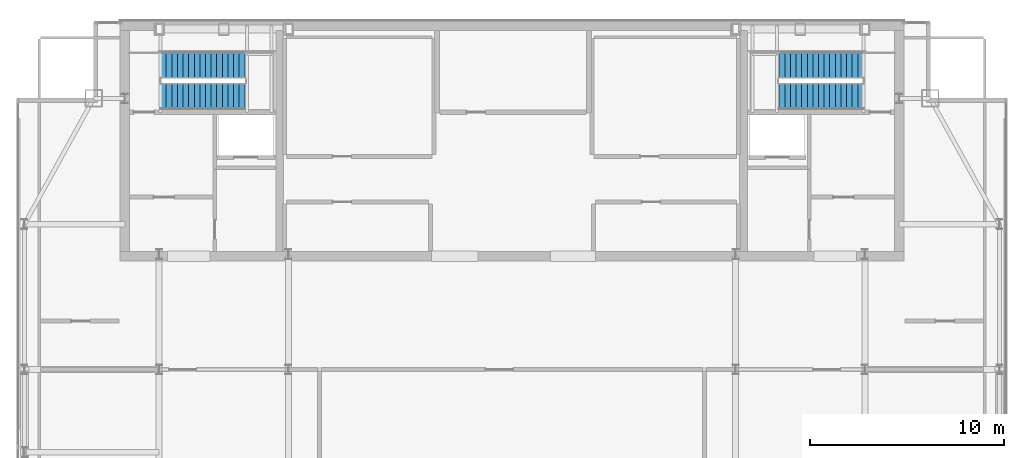
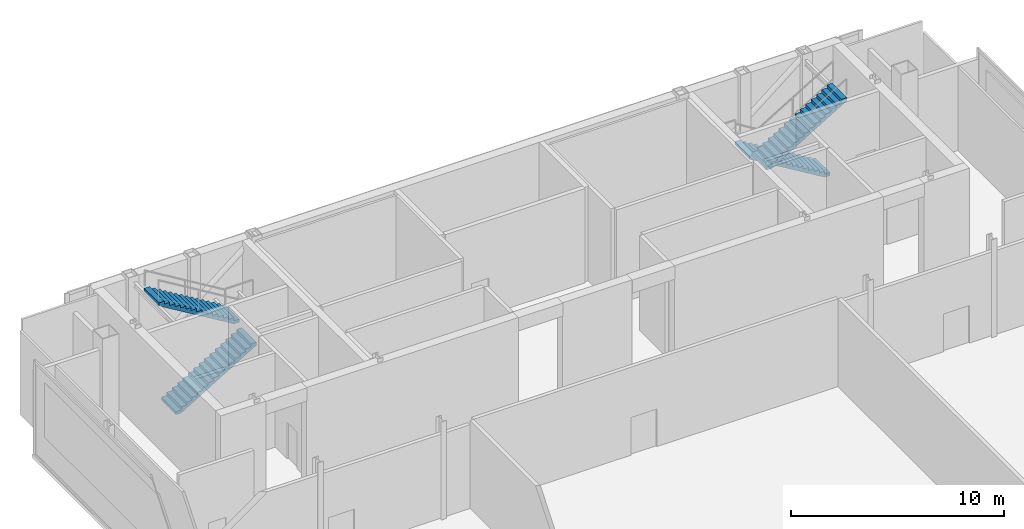
# One storey, part 20 of 22: 4 stair flights, 2 elements without a shape of their own.
"""IFC4 building model written with IfcOpenShell, lengths in metres."""

from ifc_helpers import new_model, si_unit, direction, frame, origin, place, context, subcontext, project, spatial, polyline, outline, extrude, material, type_object, element, aggregate, save


model = new_model("IFC4")

# Units and contexts
model_context = context("Model", 3, precision=1e-05, world=origin(), true_north=direction((0.0, 1.0)))
body_context = subcontext(model_context, "Body", "Model", "MODEL_VIEW")
ifc_project = project(units=[si_unit("LENGTHUNIT", "METRE"), si_unit("AREAUNIT", "SQUARE_METRE"), si_unit("VOLUMEUNIT", "CUBIC_METRE"), si_unit("PLANEANGLEUNIT", "RADIAN"), si_unit("MASSUNIT", "GRAM", prefix="KILO")], contexts=[model_context])

# Site, building, storey
site_placement = place(None, origin())
site = spatial("IfcSite", under=ifc_project, at=site_placement, CompositionType="ELEMENT")
building_placement = place(site_placement, origin())
building = spatial("IfcBuilding", under=site, at=building_placement, Name="Khoronbel Lancet Exchange", CompositionType="ELEMENT")
storey_placement = place(building_placement, frame((0.0, 0.0, 367.39990234375)))
storey = spatial("IfcBuildingStorey", under=building, at=storey_placement, Name="L94", CompositionType="ELEMENT", Elevation=367.39990234375)

# Stair, stair flights
ifc_material = material(Name="Concrete C40/50", Category="concrete")
stair_type = type_object("IfcStairType", Name="STR-CRN135", PredefinedType="HALF_TURN_STAIR", material=ifc_material)
stair_1_placement = place(storey_placement, origin())
stair_1 = element("IfcStair", 1, at=stair_1_placement, inside=storey, type_object=stair_type, Name="L94 Protected Exit Stair ST1", PredefinedType="HALF_TURN_STAIR")
stair_flight_type = type_object("IfcStairFlightType", Name="STF-135", PredefinedType="STRAIGHT", material=ifc_material)
stair_flight_1_placement = place(storey_placement, frame((18.300048828125, 49.81005859375, 0.0), z_axis=(0.0, 0.0, 1.0), x_axis=(1.0, 0.0, 0.0)))
stair_flight_1 = element("IfcStairFlight", 2, at=stair_flight_1_placement, type_object=stair_flight_type, Name="ST1 flight 1", NumberOfRisers=16, NumberOfTreads=15, PredefinedType="STRAIGHT", RiserHeight=0.175, TreadLength=0.29, context=body_context, shape_type="SweptSolid", body=[
    extrude(outline(polyline([(0.0, 0.0), (0.0, 0.175048828125), (0.2900390625, 0.175048828125), (0.2900390625, 0.35009765625), (0.580078125, 0.35009765625), (0.580078125, 0.52490234375), (0.8701171875, 0.52490234375), (0.8701171875, 0.699951171875), (1.159912109375, 0.699951171875), (1.159912109375, 0.875), (1.449951171875, 0.875), (1.449951171875, 1.050048828125), (1.739990234375, 1.050048828125), (1.739990234375, 1.22509765625), (2.030029296875, 1.22509765625), (2.030029296875, 1.39990234375), (2.320068359375, 1.39990234375), (2.320068359375, 1.574951171875), (2.610107421875, 1.574951171875), (2.610107421875, 1.75), (2.89990234375, 1.75), (2.89990234375, 1.925048828125), (3.18994140625, 1.925048828125), (3.18994140625, 2.10009765625), (3.47998046875, 2.10009765625), (3.47998046875, 2.27490234375), (3.77001953125, 2.27490234375), (3.77001953125, 2.449951171875), (4.06005859375, 2.449951171875), (4.06005859375, 2.625), (4.35009765625, 2.625), (4.35009765625, 2.800048828125), (4.35009765625, 2.449951171875), (0.2900390625, 0.0), (0.0, 0.0)])), frame((0.0, 0.68994140625, 0.0), z_axis=(0.0, -1.0, 0.0), x_axis=(1.0, 0.0, 0.0)), (0.0, 0.0, 1.0), 1.3798828125),
])
stair_flight_2_placement = place(storey_placement, frame((22.64990234375, 51.409912109375, 2.800048828125), z_axis=(0.0, 0.0, 1.0), x_axis=(-1.0, 0.0, 0.0)))
stair_flight_2 = element("IfcStairFlight", 3, at=stair_flight_2_placement, type_object=stair_flight_type, Name="ST1 flight 2", NumberOfRisers=16, NumberOfTreads=15, PredefinedType="STRAIGHT", RiserHeight=0.175, TreadLength=0.29, context=body_context, shape_type="SweptSolid", body=[
    extrude(outline(polyline([(0.0, 0.0), (0.0, 0.175048828125), (0.2900390625, 0.175048828125), (0.2900390625, 0.35009765625), (0.580078125, 0.35009765625), (0.580078125, 0.52490234375), (0.8701171875, 0.52490234375), (0.8701171875, 0.699951171875), (1.159912109375, 0.699951171875), (1.159912109375, 0.875), (1.449951171875, 0.875), (1.449951171875, 1.050048828125), (1.739990234375, 1.050048828125), (1.739990234375, 1.22509765625), (2.030029296875, 1.22509765625), (2.030029296875, 1.39990234375), (2.320068359375, 1.39990234375), (2.320068359375, 1.574951171875), (2.610107421875, 1.574951171875), (2.610107421875, 1.75), (2.89990234375, 1.75), (2.89990234375, 1.925048828125), (3.18994140625, 1.925048828125), (3.18994140625, 2.10009765625), (3.47998046875, 2.10009765625), (3.47998046875, 2.27490234375), (3.77001953125, 2.27490234375), (3.77001953125, 2.449951171875), (4.06005859375, 2.449951171875), (4.06005859375, 2.625), (4.35009765625, 2.625), (4.35009765625, 2.800048828125), (4.35009765625, 2.449951171875), (0.2900390625, 0.0), (0.0, 0.0)])), frame((0.0, 0.68994140625, 0.0), z_axis=(0.0, -1.0, 0.0), x_axis=(1.0, 0.0, 0.0)), (0.0, 0.0, 1.0), 1.3798828125),
])
aggregate(stair_1, [stair_flight_1, stair_flight_2])

stair_2_placement = place(storey_placement, origin())
stair_2 = element("IfcStair", 4, at=stair_2_placement, inside=storey, type_object=stair_type, Name="L94 Protected Exit Stair ST2", PredefinedType="HALF_TURN_STAIR")
stair_flight_3_placement = place(storey_placement, frame((54.60009765625, 51.409912109375, 0.0), z_axis=(0.0, 0.0, 1.0), x_axis=(-1.0, 0.0, 0.0)))
stair_flight_3 = element("IfcStairFlight", 5, at=stair_flight_3_placement, type_object=stair_flight_type, Name="ST2 flight 1", NumberOfRisers=16, NumberOfTreads=15, PredefinedType="STRAIGHT", RiserHeight=0.175, TreadLength=0.29, context=body_context, shape_type="SweptSolid", body=[
    extrude(outline(polyline([(0.0, 0.0), (0.0, 0.175048828125), (0.2900390625, 0.175048828125), (0.2900390625, 0.35009765625), (0.580078125, 0.35009765625), (0.580078125, 0.52490234375), (0.8701171875, 0.52490234375), (0.8701171875, 0.699951171875), (1.159912109375, 0.699951171875), (1.159912109375, 0.875), (1.449951171875, 0.875), (1.449951171875, 1.050048828125), (1.739990234375, 1.050048828125), (1.739990234375, 1.22509765625), (2.030029296875, 1.22509765625), (2.030029296875, 1.39990234375), (2.320068359375, 1.39990234375), (2.320068359375, 1.574951171875), (2.610107421875, 1.574951171875), (2.610107421875, 1.75), (2.89990234375, 1.75), (2.89990234375, 1.925048828125), (3.18994140625, 1.925048828125), (3.18994140625, 2.10009765625), (3.47998046875, 2.10009765625), (3.47998046875, 2.27490234375), (3.77001953125, 2.27490234375), (3.77001953125, 2.449951171875), (4.06005859375, 2.449951171875), (4.06005859375, 2.625), (4.35009765625, 2.625), (4.35009765625, 2.800048828125), (4.35009765625, 2.449951171875), (0.2900390625, 0.0), (0.0, 0.0)])), frame((0.0, 0.68994140625, 0.0), z_axis=(0.0, -1.0, 0.0), x_axis=(1.0, 0.0, 0.0)), (0.0, 0.0, 1.0), 1.3798828125),
])
stair_flight_4_placement = place(storey_placement, frame((50.25, 49.81005859375, 2.800048828125), z_axis=(0.0, 0.0, 1.0), x_axis=(1.0, 0.0, 0.0)))
stair_flight_4 = element("IfcStairFlight", 6, at=stair_flight_4_placement, type_object=stair_flight_type, Name="ST2 flight 2", NumberOfRisers=16, NumberOfTreads=15, PredefinedType="STRAIGHT", RiserHeight=0.175, TreadLength=0.29, context=body_context, shape_type="SweptSolid", body=[
    extrude(outline(polyline([(0.0, 0.0), (0.0, 0.175048828125), (0.2900390625, 0.175048828125), (0.2900390625, 0.35009765625), (0.580078125, 0.35009765625), (0.580078125, 0.52490234375), (0.8701171875, 0.52490234375), (0.8701171875, 0.699951171875), (1.159912109375, 0.699951171875), (1.159912109375, 0.875), (1.449951171875, 0.875), (1.449951171875, 1.050048828125), (1.739990234375, 1.050048828125), (1.739990234375, 1.22509765625), (2.030029296875, 1.22509765625), (2.030029296875, 1.39990234375), (2.320068359375, 1.39990234375), (2.320068359375, 1.574951171875), (2.610107421875, 1.574951171875), (2.610107421875, 1.75), (2.89990234375, 1.75), (2.89990234375, 1.925048828125), (3.18994140625, 1.925048828125), (3.18994140625, 2.10009765625), (3.47998046875, 2.10009765625), (3.47998046875, 2.27490234375), (3.77001953125, 2.27490234375), (3.77001953125, 2.449951171875), (4.06005859375, 2.449951171875), (4.06005859375, 2.625), (4.35009765625, 2.625), (4.35009765625, 2.800048828125), (4.35009765625, 2.449951171875), (0.2900390625, 0.0), (0.0, 0.0)])), frame((0.0, 0.68994140625, 0.0), z_axis=(0.0, -1.0, 0.0), x_axis=(1.0, 0.0, 0.0)), (0.0, 0.0, 1.0), 1.3798828125),
])
aggregate(stair_2, [stair_flight_3, stair_flight_4])

save(model, "model.ifc")
